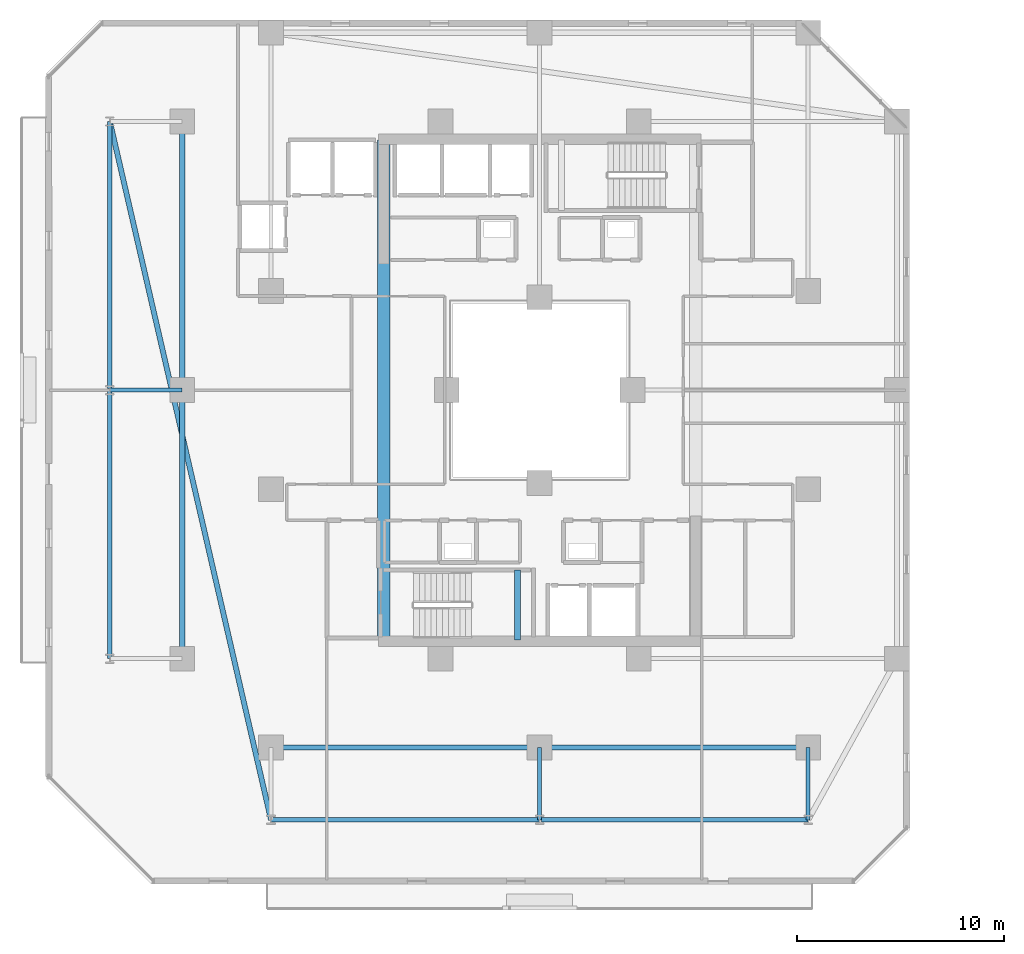
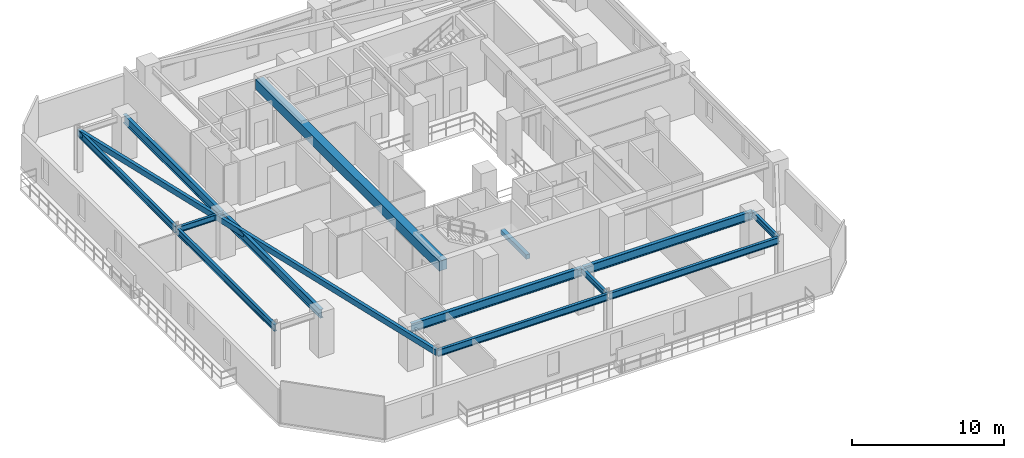
# One storey, part 4 of 33: 14 beams.
"""IFC4 building model written with IfcOpenShell, lengths in metres."""

from ifc_helpers import new_model, si_unit, direction, frame, origin, origin_2d, place, context, subcontext, project, spatial, rectangle, hollow_rectangle, i_section, extrude, material, material_profile, profile_set, type_object, element, save


model = new_model("IFC4")

# Units and contexts
model_context = context("Model", 3, precision=1e-05, world=origin(), true_north=direction((0.0, 1.0)))
body_context = subcontext(model_context, "Body", "Model", "MODEL_VIEW")
ifc_project = project(units=[si_unit("LENGTHUNIT", "METRE"), si_unit("AREAUNIT", "SQUARE_METRE"), si_unit("VOLUMEUNIT", "CUBIC_METRE"), si_unit("PLANEANGLEUNIT", "RADIAN"), si_unit("MASSUNIT", "GRAM", prefix="KILO")], contexts=[model_context])

# Site, building, storey
site_placement = place(None, origin())
site = spatial("IfcSite", under=ifc_project, at=site_placement, CompositionType="ELEMENT")
building_placement = place(site_placement, origin())
building = spatial("IfcBuilding", under=site, at=building_placement, Name="Thornwick Lancets Civic Towers", CompositionType="ELEMENT")
storey_placement = place(building_placement, frame((0.0, 0.0, 134.10009765625)))
storey = spatial("IfcBuildingStorey", under=building, at=storey_placement, Name="L35", CompositionType="ELEMENT", Elevation=134.10009765625)

# Beams
ifc_material_1 = material(Name="Concrete C60/75", Category="concrete")
ifc_material_profile_1 = material_profile(ifc_material_1, rectangle(XDim=0.60009765625, YDim=0.800048828125, at=origin_2d()), Name="RC 600x800")
ifc_profile_set_1 = profile_set([ifc_material_profile_1], Name="Concrete C60/75")
beam_type_1 = type_object("IfcBeamType", Name="BM_COUP_RC800", PredefinedType="BEAM", material=ifc_profile_set_1)
beam_1_placement = place(storey_placement, frame((17.949951171875, 14.89990234375, 2.9599609375), z_axis=(0.0, 1.0, 0.0), x_axis=(-1.0, 0.0, 0.0)))
element("IfcBeam", 1, at=beam_1_placement, inside=storey, type_object=beam_type_1, Name="CB-L35-A2", PredefinedType="BEAM", context=body_context, shape_type="SweptSolid", body=[
    extrude(rectangle(XDim=0.60009765625, YDim=0.800048828125, at=origin_2d()), origin(), (0.0, 0.0, 1.0), 24.2001953125),
])
ifc_material_2 = material(Name="Steel S355JR", Category="steel")
ifc_material_profile_2 = material_profile(ifc_material_2, i_section(OverallWidth=0.2119140625, OverallDepth=0.54443359375, WebThickness=0.0126953125, FlangeThickness=0.021240234375, FilletRadius=0.0126953125, at=origin_2d()), Name="UKB 533x210x122")
ifc_profile_set_2 = profile_set([ifc_material_profile_2], Name="Steel S355JR")
beam_type_2 = type_object("IfcBeamType", Name="BM_EDGE_533_122", PredefinedType="SPANDREL", material=ifc_profile_set_2)
beam_2_placement = place(storey_placement, frame((12.5, 6.199951171875, 3.087646484375), z_axis=(1.0, 0.0, 0.0), x_axis=(0.0, 1.0, 0.0)))
element("IfcBeam", 2, at=beam_2_placement, inside=storey, type_object=beam_type_2, Name="BM-EDGE-L35-A-S0-1", PredefinedType="SPANDREL", context=body_context, shape_type="SweptSolid", body=[
    extrude(i_section(OverallWidth=0.2119140625, OverallDepth=0.54443359375, WebThickness=0.0126953125, FlangeThickness=0.021240234375, FilletRadius=0.0126953125, at=origin_2d()), origin(), (0.0, 0.0, 1.0), 13.0),
])
beam_3_placement = place(storey_placement, frame((25.580078125, 6.199951171875, 3.087646484375), z_axis=(1.0, 0.0, 0.0), x_axis=(0.0, 1.0, 0.0)))
element("IfcBeam", 3, at=beam_3_placement, inside=storey, type_object=beam_type_2, Name="BM-EDGE-L35-A-S0-2", PredefinedType="SPANDREL", context=body_context, shape_type="SweptSolid", body=[
    extrude(i_section(OverallWidth=0.2119140625, OverallDepth=0.54443359375, WebThickness=0.0126953125, FlangeThickness=0.021240234375, FilletRadius=0.0126953125, at=origin_2d()), origin(), (0.0, 0.0, 1.0), 12.919921875),
])
beam_4_placement = place(storey_placement, frame((4.699951171875, 14.0, 3.087646484375), z_axis=(0.0, 1.0, 0.0), x_axis=(-1.0, 0.0, 0.0)))
element("IfcBeam", 4, at=beam_4_placement, inside=storey, type_object=beam_type_2, Name="BM-EDGE-L35-A-S3-1", PredefinedType="SPANDREL", context=body_context, shape_type="SweptSolid", body=[
    extrude(i_section(OverallWidth=0.2119140625, OverallDepth=0.54443359375, WebThickness=0.0126953125, FlangeThickness=0.021240234375, FilletRadius=0.0126953125, at=origin_2d()), origin(), (0.0, 0.0, 1.0), 13.0),
])
beam_5_placement = place(storey_placement, frame((4.699951171875, 27.080078125, 3.087646484375), z_axis=(0.0, 1.0, 0.0), x_axis=(-1.0, 0.0, 0.0)))
element("IfcBeam", 5, at=beam_5_placement, inside=storey, type_object=beam_type_2, Name="BM-EDGE-L35-A-S3-2", PredefinedType="SPANDREL", context=body_context, shape_type="SweptSolid", body=[
    extrude(i_section(OverallWidth=0.2119140625, OverallDepth=0.54443359375, WebThickness=0.0126953125, FlangeThickness=0.021240234375, FilletRadius=0.0126953125, at=origin_2d()), origin(), (0.0, 0.0, 1.0), 12.919921875),
])
ifc_material_profile_3 = material_profile(ifc_material_2, i_section(OverallWidth=0.255859375, OverallDepth=0.69287109375, WebThickness=0.014404296875, FlangeThickness=0.023681640625, FilletRadius=0.01513671875, at=origin_2d()), Name="UKB 686x254x170")
ifc_profile_set_3 = profile_set([ifc_material_profile_3], Name="Steel S355JR")
beam_type_3 = type_object("IfcBeamType", Name="BM_GIRD_686_170", PredefinedType="BEAM", material=ifc_profile_set_3)
beam_6_placement = place(storey_placement, frame((12.5, 9.699951171875, 3.013427734375), z_axis=(1.0, 0.0, 0.0), x_axis=(0.0, 1.0, 0.0)))
element("IfcBeam", 6, at=beam_6_placement, inside=storey, type_object=beam_type_3, Name="BM-SPINE-L35-A-0-1", PredefinedType="BEAM", context=body_context, shape_type="SweptSolid", body=[
    extrude(i_section(OverallWidth=0.255859375, OverallDepth=0.69287109375, WebThickness=0.014404296875, FlangeThickness=0.023681640625, FilletRadius=0.01513671875, at=origin_2d()), origin(), (0.0, 0.0, 1.0), 13.0),
])
beam_7_placement = place(storey_placement, frame((25.580078125, 9.699951171875, 3.013427734375), z_axis=(1.0, 0.0, 0.0), x_axis=(0.0, 1.0, 0.0)))
element("IfcBeam", 7, at=beam_7_placement, inside=storey, type_object=beam_type_3, Name="BM-SPINE-L35-A-1-2", PredefinedType="BEAM", context=body_context, shape_type="SweptSolid", body=[
    extrude(i_section(OverallWidth=0.255859375, OverallDepth=0.69287109375, WebThickness=0.014404296875, FlangeThickness=0.023681640625, FilletRadius=0.01513671875, at=origin_2d()), origin(), (0.0, 0.0, 1.0), 12.919921875),
])
beam_8_placement = place(storey_placement, frame((8.199951171875, 14.0, 3.013427734375), z_axis=(0.0, 1.0, 0.0), x_axis=(-1.0, 0.0, 0.0)))
element("IfcBeam", 8, at=beam_8_placement, inside=storey, type_object=beam_type_3, Name="BM-SPINE-L35-A-9-10", PredefinedType="BEAM", context=body_context, shape_type="SweptSolid", body=[
    extrude(i_section(OverallWidth=0.255859375, OverallDepth=0.69287109375, WebThickness=0.014404296875, FlangeThickness=0.023681640625, FilletRadius=0.01513671875, at=origin_2d()), origin(), (0.0, 0.0, 1.0), 13.0),
])
beam_9_placement = place(storey_placement, frame((8.199951171875, 27.080078125, 3.013427734375), z_axis=(0.0, 1.0, 0.0), x_axis=(-1.0, 0.0, 0.0)))
element("IfcBeam", 9, at=beam_9_placement, inside=storey, type_object=beam_type_3, Name="BM-SPINE-L35-A-10-11", PredefinedType="BEAM", context=body_context, shape_type="SweptSolid", body=[
    extrude(i_section(OverallWidth=0.255859375, OverallDepth=0.69287109375, WebThickness=0.014404296875, FlangeThickness=0.023681640625, FilletRadius=0.01513671875, at=origin_2d()), origin(), (0.0, 0.0, 1.0), 12.919921875),
])
ifc_material_profile_4 = material_profile(ifc_material_2, i_section(OverallWidth=0.19287109375, OverallDepth=0.46728515625, WebThickness=0.011474609375, FlangeThickness=0.01953125, FilletRadius=0.01025390625, at=origin_2d()), Name="UKB 457x191x98")
ifc_profile_set_4 = profile_set([ifc_material_profile_4], Name="Steel S355JR")
beam_type_4 = type_object("IfcBeamType", Name="BM_JOIST_457_98", PredefinedType="JOIST", material=ifc_profile_set_4)
for number, where, z_axis, x_axis, name in (
    (10, (25.5, 9.699951171875, 3.126220703125), (0.0, -1.0, 0.0), (1.0, 0.0, 0.0), "BM-RAD-L35-A02"),
    (11, (38.5, 9.699951171875, 3.126220703125), (0.0, -1.0, 0.0), (1.0, 0.0, 0.0), "BM-RAD-L35-A03"),
    (12, (8.199951171875, 27.0, 3.126220703125), (-1.0, 0.0, 0.0), (0.0, -1.0, 0.0), "BM-RAD-L35-A11"),
):
    element("IfcBeam", number, at=place(storey_placement, frame(where, z_axis=z_axis, x_axis=x_axis)), inside=storey, type_object=beam_type_4, Name=name, PredefinedType="JOIST", context=body_context, shape_type="SweptSolid", body=[
        extrude(i_section(OverallWidth=0.19287109375, OverallDepth=0.46728515625, WebThickness=0.011474609375, FlangeThickness=0.01953125, FilletRadius=0.01025390625, at=origin_2d()), origin(), (0.0, 0.0, 1.0), 3.5),
    ])
ifc_material_profile_5 = material_profile(ifc_material_2, hollow_rectangle(XDim=0.25, YDim=0.449951171875, WallThickness=0.01611328125, at=origin_2d()), Name="RHS 450x250x16")
ifc_profile_set_5 = profile_set([ifc_material_profile_5], Name="Steel S355JR")
beam_type_5 = type_object("IfcBeamType", Name="BM_RING_RHS450", PredefinedType="BEAM", material=ifc_profile_set_5)
beam_10_placement = place(storey_placement, frame((4.699951171875, 40.0, 3.135009765625), z_axis=(0.224860534737, -0.974390958454, 0.0), x_axis=(0.974390958454, 0.224860534737, 0.0)))
element("IfcBeam", 13, at=beam_10_placement, inside=storey, type_object=beam_type_5, Name="BM-CHAMF-L35-A-C3", PredefinedType="BEAM", context=body_context, shape_type="SweptSolid", body=[
    extrude(hollow_rectangle(XDim=0.25, YDim=0.449951171875, WallThickness=0.01611328125, at=origin_2d()), origin(), (0.0, 0.0, 1.0), 34.6884765625),
])
ifc_material_3 = material(Name="Concrete C40/50", Category="concrete")
ifc_material_profile_6 = material_profile(ifc_material_3, rectangle(XDim=0.300048828125, YDim=0.35009765625, at=origin_2d()), Name="RC 300x350")
ifc_profile_set_6 = profile_set([ifc_material_profile_6], Name="Concrete C40/50")
beam_type_6 = type_object("IfcBeamType", Name="BM_STAIR_LDG", PredefinedType="BEAM", material=ifc_profile_set_6)
beam_11_placement = place(storey_placement, frame((24.43505859375, 14.89990234375, 1.3779296875), z_axis=(0.0, 1.0, 0.0), x_axis=(-1.0, 0.0, 0.0)))
element("IfcBeam", 14, at=beam_11_placement, inside=storey, type_object=beam_type_6, Name="L35 ST-A1 Landing Support Beam 1", PredefinedType="BEAM", context=body_context, shape_type="SweptSolid", body=[
    extrude(rectangle(XDim=0.300048828125, YDim=0.35009765625, at=origin_2d()), origin(), (0.0, 0.0, 1.0), 3.400146484375),
])

save(model, "model.ifc")
